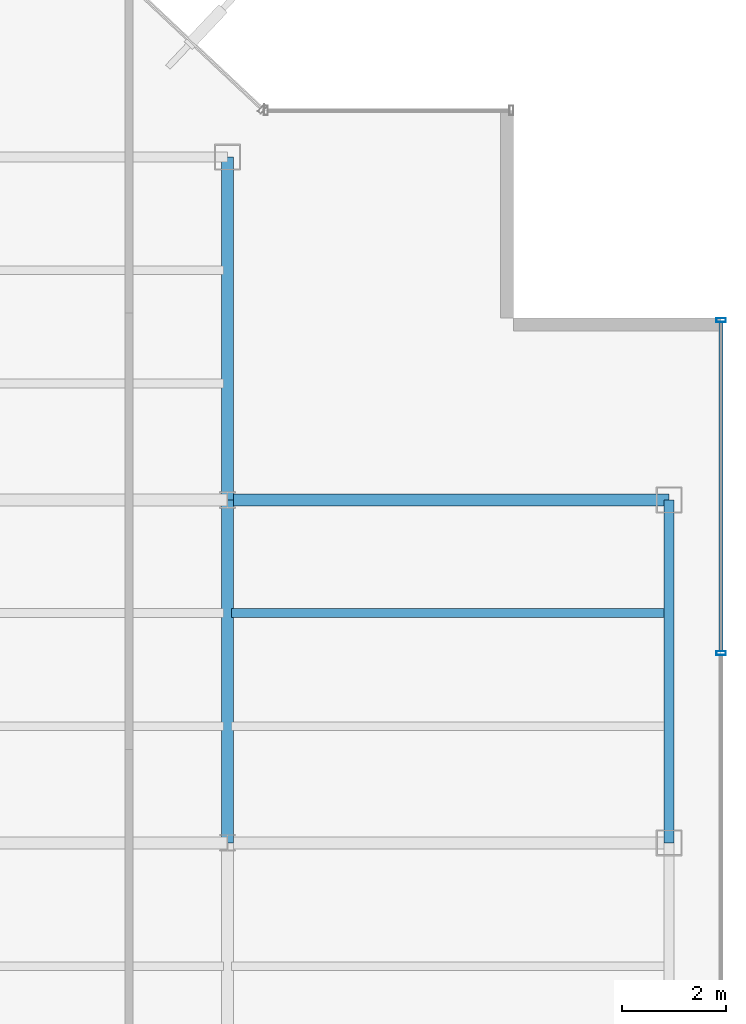
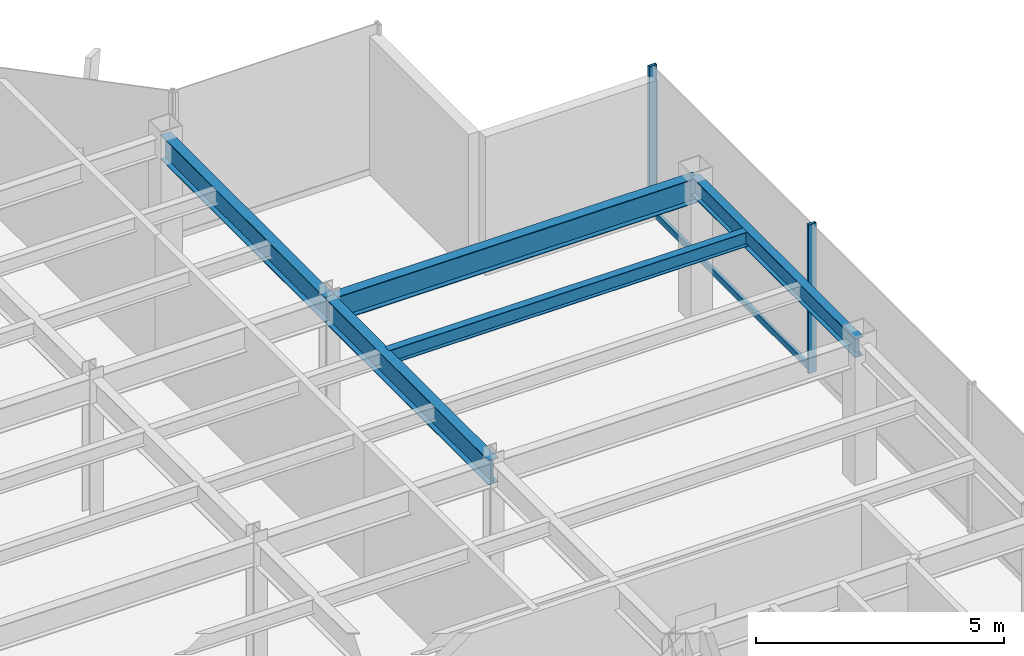
# One storey, part 11 of 22: 5 beams, 3 members, 1 element without a shape of its own.
"""IFC4 building model written with IfcOpenShell, lengths in metres."""

from ifc_helpers import new_model, si_unit, derived_unit, direction, frame, origin, origin_2d, place, context, subcontext, project, spatial, hollow_rectangle, i_section, extrude, source, transform, mapped, material, material_profile, profile_set, type_object, element, aggregate, save


model = new_model("IFC4")

# Units and contexts
model_context = context("Model", 3, precision=1e-05, world=origin(), true_north=direction((0.0, 1.0)))
body_context = subcontext(model_context, "Body", "Model", "MODEL_VIEW")
ifc_project = project(units=[si_unit("LENGTHUNIT", "METRE"), si_unit("AREAUNIT", "SQUARE_METRE"), si_unit("VOLUMEUNIT", "CUBIC_METRE"), si_unit("PLANEANGLEUNIT", "RADIAN"), si_unit("MASSUNIT", "GRAM", prefix="KILO"), derived_unit("THERMALTRANSMITTANCEUNIT", [(si_unit("POWERUNIT", "WATT"), 1), (si_unit("LENGTHUNIT", "METRE"), -2), (si_unit("THERMODYNAMICTEMPERATUREUNIT", "KELVIN"), -1)])], contexts=[model_context])

# Site, building, storey
site_placement = place(None, origin())
site = spatial("IfcSite", under=ifc_project, at=site_placement, CompositionType="ELEMENT")
building_placement = place(site_placement, origin())
building = spatial("IfcBuilding", under=site, at=building_placement, Name="Skarnbrae Concourse Arena and Tower", CompositionType="ELEMENT")
storey_placement = place(building_placement, frame((0.0, 0.0, 228.75)))
storey = spatial("IfcBuildingStorey", under=building, at=storey_placement, Name="L59", CompositionType="ELEMENT", Elevation=228.75)

# Beams
ifc_material_1 = material(Name="Steel CSA G40.21 350W", Category="steel")
ifc_material_profile_1 = material_profile(ifc_material_1, i_section(OverallWidth=0.22802734375, OverallDepth=0.60791015625, WebThickness=0.01123046875, FlangeThickness=0.017333984375, at=origin_2d()), Name="W610X113")
ifc_profile_set_1 = profile_set([ifc_material_profile_1], Name="Steel CSA G40.21 350W")
beam_type_1 = type_object("IfcBeamType", Name="BM-GIRD-W610X113", PredefinedType="BEAM", material=ifc_profile_set_1)
shared_shape_1 = source(origin(), body_context, "Body", "SweptSolid", [
    extrude(i_section(OverallWidth=0.22802734375, OverallDepth=0.60791015625, WebThickness=0.01123046875, FlangeThickness=0.017333984375, at=origin_2d()), origin(), (0.0, 0.0, 1.0), 6.60009765625),
])
beam_1_placement = place(storey_placement, frame((33.5, 21.199951171875, 3.095947265625), z_axis=(0.0, 1.0, 0.0), x_axis=(-1.0, 0.0, 0.0)))
element("IfcBeam", 1, at=beam_1_placement, inside=storey, type_object=beam_type_1, Name="L59 Primary N-S girder X33.5-2", PredefinedType="BEAM", context=body_context, shape_type="MappedRepresentation", body=[
    mapped(shared_shape_1, transform((0.0, 0.0, 0.0))),
])
shared_shape_2 = source(origin(), body_context, "Body", "SweptSolid", [
    extrude(i_section(OverallWidth=0.22802734375, OverallDepth=0.60791015625, WebThickness=0.01123046875, FlangeThickness=0.017333984375, at=origin_2d()), origin(), (0.0, 0.0, 1.0), 8.5),
])
beam_2_placement = place(storey_placement, frame((33.5, 27.800048828125, 3.095947265625), z_axis=(1.0, 0.0, 0.0), x_axis=(0.0, 1.0, 0.0)))
element("IfcBeam", 2, at=beam_2_placement, inside=storey, type_object=beam_type_1, Name="L59 Primary E-W girder Y27.8-6", PredefinedType="BEAM", context=body_context, shape_type="MappedRepresentation", body=[
    mapped(shared_shape_2, transform((0.0, 0.0, 0.0))),
])
ifc_material_profile_2 = material_profile(ifc_material_1, i_section(OverallWidth=0.19091796875, OverallDepth=0.4599609375, WebThickness=0.010009765625, FlangeThickness=0.01611328125, at=origin_2d()), Name="W460X82")
ifc_profile_set_2 = profile_set([ifc_material_profile_2], Name="Steel CSA G40.21 350W")
beam_type_2 = type_object("IfcBeamType", Name="BM-SPAN-W460X82", PredefinedType="SPANDREL", material=ifc_profile_set_2)
shared_shape_3 = source(origin(), body_context, "Body", "SweptSolid", [
    extrude(i_section(OverallWidth=0.19091796875, OverallDepth=0.4599609375, WebThickness=0.010009765625, FlangeThickness=0.01611328125, at=origin_2d()), origin(), (0.0, 0.0, 1.0), 6.60009765625),
])
beam_3_placement = place(storey_placement, frame((42.0, 21.199951171875, 3.169921875), z_axis=(0.0, 1.0, 0.0), x_axis=(-1.0, 0.0, 0.0)))
element("IfcBeam", 3, at=beam_3_placement, inside=storey, type_object=beam_type_2, Name="L59 Perimeter spandrel X42.0-3", PredefinedType="SPANDREL", context=body_context, shape_type="MappedRepresentation", body=[
    mapped(shared_shape_3, transform((0.0, 0.0, 0.0))),
])
shared_shape_4 = source(origin(), body_context, "Body", "SweptSolid", [
    extrude(i_section(OverallWidth=0.22802734375, OverallDepth=0.60791015625, WebThickness=0.01123046875, FlangeThickness=0.017333984375, at=origin_2d()), origin(), (0.0, 0.0, 1.0), 6.599853515625),
])
beam_4_placement = place(storey_placement, frame((33.5, 27.800048828125, 3.095947265625), z_axis=(0.0, 1.0, 0.0), x_axis=(-1.0, 0.0, 0.0)))
element("IfcBeam", 4, at=beam_4_placement, inside=storey, type_object=beam_type_1, Name="L59 Primary N-S girder X33.5-3", PredefinedType="BEAM", context=body_context, shape_type="MappedRepresentation", body=[
    mapped(shared_shape_4, transform((0.0, 0.0, 0.0))),
])
ifc_material_profile_3 = material_profile(ifc_material_1, i_section(OverallWidth=0.1708984375, OverallDepth=0.35498046875, WebThickness=0.007080078125, FlangeThickness=0.01171875, at=origin_2d()), Name="W360X51")
ifc_profile_set_3 = profile_set([ifc_material_profile_3], Name="Steel CSA G40.21 350W")
beam_type_3 = type_object("IfcBeamType", Name="BM-JOIST-W360X51", PredefinedType="JOIST", material=ifc_profile_set_3)
shared_shape_5 = source(origin(), body_context, "Body", "SweptSolid", [
    extrude(i_section(OverallWidth=0.1708984375, OverallDepth=0.35498046875, WebThickness=0.007080078125, FlangeThickness=0.01171875, at=origin_2d()), origin(), (0.0, 0.0, 1.0), 8.33984375),
])
beam_5_placement = place(storey_placement, frame((33.580078125, 25.6220703125, 3.222412109375), z_axis=(1.0, 0.0, 0.0), x_axis=(0.0, 1.0, 0.0)))
element("IfcBeam", 5, at=beam_5_placement, inside=storey, type_object=beam_type_3, Name="L59 Secondary floor joist 2.2.6", PredefinedType="JOIST", context=body_context, shape_type="MappedRepresentation", body=[
    mapped(shared_shape_5, transform((0.0, 0.0, 0.0))),
])

# Curtain wall, members
ifc_material_2 = material(Name="Bronze anodised aluminium 6063-T6", Category="aluminium")
curtain_wall_type = type_object("IfcCurtainWallType", Name="CW-SYS-05-HIGHZONE", PredefinedType="USERDEFINED", material=ifc_material_2)
curtain_wall_placement = place(storey_placement, origin())
curtain_wall = element("IfcCurtainWall", 6, at=curtain_wall_placement, inside=storey, type_object=curtain_wall_type, Name="L59 Unitised curtain wall CW-L59-E04", ObjectType="UNITISED CURTAIN WALL", PredefinedType="USERDEFINED")
ifc_material_profile_4 = material_profile(ifc_material_2, hollow_rectangle(XDim=0.074951171875, YDim=0.179931640625, WallThickness=0.00390625, at=origin_2d()), Name="ALU-MULL-75X180")
ifc_profile_set_4 = profile_set([ifc_material_profile_4], Name="Bronze anodised aluminium 6063-T6")
member_type_1 = type_object("IfcMemberType", Name="CWM-CW-05", PredefinedType="MULLION", material=ifc_profile_set_4)
shared_shape_6 = source(origin(), body_context, "Body", "SweptSolid", [
    extrude(hollow_rectangle(XDim=0.074951171875, YDim=0.179931640625, WallThickness=0.00390625, at=origin_2d()), origin(), (0.0, 0.0, 1.0), 3.64990234375),
])
member_1_placement = place(storey_placement, frame((43.0, 24.85009765625, 0.0), z_axis=(0.0, 0.0, 1.0), x_axis=(0.0, 1.0, 0.0)))
member_1 = element("IfcMember", 7, at=member_1_placement, type_object=member_type_1, Name="CW-L59-E04 Mullion 4", PredefinedType="MULLION", context=body_context, shape_type="MappedRepresentation", body=[
    mapped(shared_shape_6, transform((0.0, 0.0, 0.0))),
])
member_2_placement = place(storey_placement, frame((43.0, 31.262451171875, 0.0), z_axis=(0.0, 0.0, 1.0), x_axis=(0.0, 1.0, 0.0)))
member_2 = element("IfcMember", 8, at=member_2_placement, type_object=member_type_1, Name="CW-L59-E04 Mullion 5", PredefinedType="MULLION", context=body_context, shape_type="MappedRepresentation", body=[
    mapped(shared_shape_6, transform((0.0, 0.0, 0.0))),
])
ifc_material_profile_5 = material_profile(ifc_material_2, hollow_rectangle(XDim=0.074951171875, YDim=0.14990234375, WallThickness=0.00390625, at=origin_2d()), Name="ALU-TRAN-75X150")
ifc_profile_set_5 = profile_set([ifc_material_profile_5], Name="Bronze anodised aluminium 6063-T6")
member_type_2 = type_object("IfcMemberType", Name="CWT-CW-05", PredefinedType="USERDEFINED", material=ifc_profile_set_5)
shared_shape_7 = source(origin(), body_context, "Body", "SweptSolid", [
    extrude(hollow_rectangle(XDim=0.074951171875, YDim=0.14990234375, WallThickness=0.00390625, at=origin_2d()), origin(), (0.0, 0.0, 1.0), 6.337646484375),
])
member_3_placement = place(storey_placement, frame((43.0, 24.887451171875, 0.074951171875), z_axis=(0.0, 1.0, 0.0), x_axis=(-1.0, 0.0, 0.0)))
member_3 = element("IfcMember", 9, at=member_3_placement, type_object=member_type_2, Name="CW-L59-E04 Transom 4", ObjectType="TRANSOM", PredefinedType="USERDEFINED", context=body_context, shape_type="MappedRepresentation", body=[
    mapped(shared_shape_7, transform((0.0, 0.0, 0.0))),
])
aggregate(curtain_wall, [member_1, member_2, member_3])

save(model, "model.ifc")
